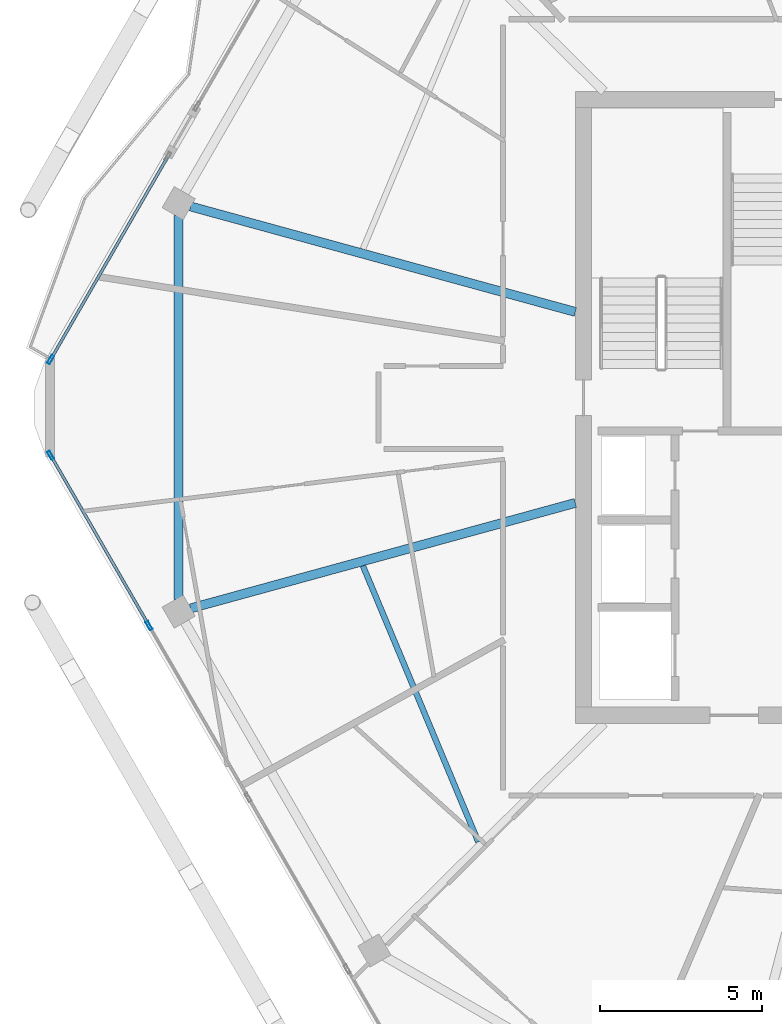
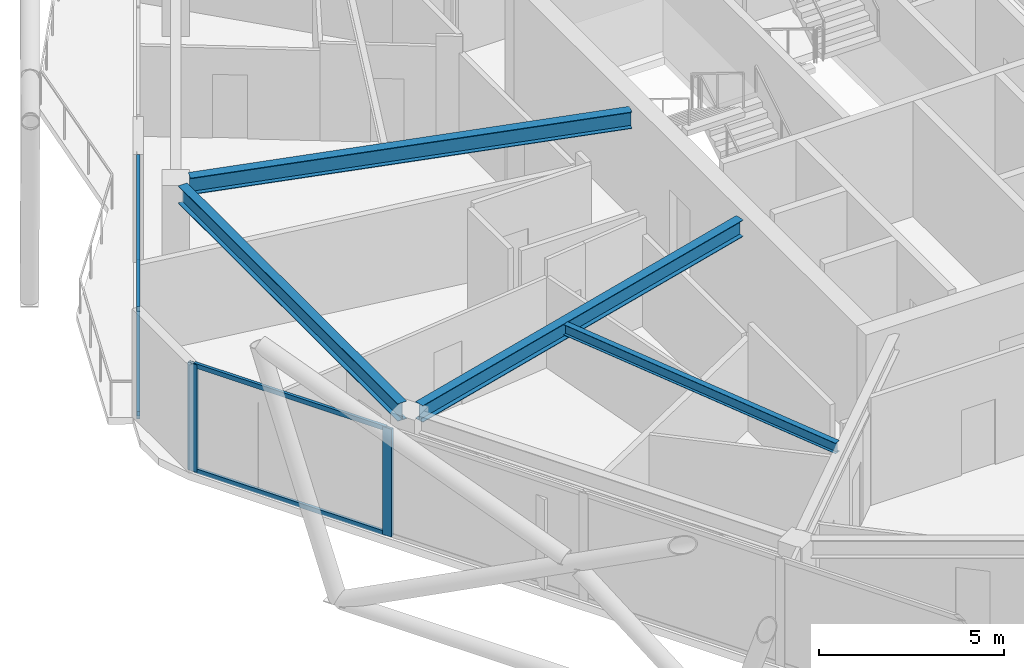
# One storey, part 6 of 24: 7 members, 4 beams, 2 elements without a shape of their own.
"""IFC4 building model written with IfcOpenShell, lengths in metres."""

from ifc_helpers import new_model, si_unit, direction, frame, origin, origin_2d, place, context, subcontext, project, spatial, hollow_rectangle, i_section, extrude, material, material_profile, profile_set, type_object, element, aggregate, save


model = new_model("IFC4")

# Units and contexts
model_context = context("Model", 3, precision=1e-05, world=origin(), true_north=direction((0.0, 1.0)))
body_context = subcontext(model_context, "Body", "Model", "MODEL_VIEW")
ifc_project = project(units=[si_unit("LENGTHUNIT", "METRE"), si_unit("AREAUNIT", "SQUARE_METRE"), si_unit("VOLUMEUNIT", "CUBIC_METRE"), si_unit("PLANEANGLEUNIT", "RADIAN"), si_unit("MASSUNIT", "GRAM", prefix="KILO")], contexts=[model_context])

# Site, building, storey
site_placement = place(None, origin())
site = spatial("IfcSite", under=ifc_project, at=site_placement, CompositionType="ELEMENT")
building_placement = place(site_placement, origin())
building = spatial("IfcBuilding", under=site, at=building_placement, Name="Zuhravey Tower", CompositionType="ELEMENT")
storey_placement = place(building_placement, frame((0.0, 0.0, 338.60009765625)))
storey = spatial("IfcBuildingStorey", under=building, at=storey_placement, Name="L86", CompositionType="ELEMENT", Elevation=338.60009765625)

# Curtain wall, members
ifc_material_1 = material(Name="Thermally broken anodised aluminium", Category="aluminium")
curtain_wall_type = type_object("IfcCurtainWallType", Name="Zone 3-4 High-Rise Curtain Wall CW4", PredefinedType="NOTDEFINED", material=ifc_material_1)
curtain_wall_1_placement = place(storey_placement, origin())
curtain_wall_1 = element("IfcCurtainWall", 1, at=curtain_wall_1_placement, inside=storey, type_object=curtain_wall_type, Name="L86 CW4 CW-L86-F4-1", PredefinedType="NOTDEFINED")
ifc_material_2 = material(Name="Anodised aluminium", Category="aluminium")
ifc_material_profile_1 = material_profile(ifc_material_2, hollow_rectangle(XDim=0.090087890625, YDim=0.284912109375, WallThickness=0.0048828125, at=origin_2d()), Name="ALU-RHS-90x285x5")
ifc_profile_set_1 = profile_set([ifc_material_profile_1], Name="Anodised aluminium")
member_type_1 = type_object("IfcMemberType", Name="Curtain-Wall Mullion 90x180", PredefinedType="MULLION", material=ifc_profile_set_1)
member_1_placement = place(storey_placement, frame((12.09130859375, 25.2626953125, 0.0), z_axis=(0.0, 0.0, 1.0), x_axis=(-0.866025511541, -0.49999981336, 0.0)))
member_1 = element("IfcMember", 2, at=member_1_placement, type_object=member_type_1, Name="CW4 mullion 4", PredefinedType="MULLION", context=body_context, shape_type="SweptSolid", body=[
    extrude(hollow_rectangle(XDim=0.090087890625, YDim=0.284912109375, WallThickness=0.0048828125, at=origin_2d()), origin(), (0.0, 0.0, 1.0), 3.5498046875),
])
member_2_placement = place(storey_placement, frame((9.05419921875, 30.5234375, 0.0), z_axis=(0.0, 0.0, 1.0), x_axis=(-0.866025511541, -0.49999981336, 0.0)))
member_2 = element("IfcMember", 3, at=member_2_placement, type_object=member_type_1, Name="CW4 mullion 5", PredefinedType="MULLION", context=body_context, shape_type="SweptSolid", body=[
    extrude(hollow_rectangle(XDim=0.090087890625, YDim=0.284912109375, WallThickness=0.0048828125, at=origin_2d()), origin(), (0.0, 0.0, 1.0), 3.5498046875),
])

# Curtain wall, member
curtain_wall_2_placement = place(storey_placement, origin())
curtain_wall_2 = element("IfcCurtainWall", 4, at=curtain_wall_2_placement, inside=storey, type_object=curtain_wall_type, Name="L86 CW4 CW-L86-F3-1", PredefinedType="NOTDEFINED")
member_3_placement = place(storey_placement, frame((9.05419921875, 33.4765625, 0.0), z_axis=(0.0, 0.0, 1.0), x_axis=(-0.866027095536, 0.499997069789, 0.0)))
member_3 = element("IfcMember", 5, at=member_3_placement, type_object=member_type_1, Name="CW4 mullion 1", PredefinedType="MULLION", context=body_context, shape_type="SweptSolid", body=[
    extrude(hollow_rectangle(XDim=0.090087890625, YDim=0.284912109375, WallThickness=0.0048828125, at=origin_2d()), origin(), (0.0, 0.0, 1.0), 3.5498046875),
])

# Member
ifc_material_profile_2 = material_profile(ifc_material_2, hollow_rectangle(XDim=0.090087890625, YDim=0.14990234375, WallThickness=0.0048828125, at=origin_2d()), Name="ALU-RHS-90x150x5")
ifc_profile_set_2 = profile_set([ifc_material_profile_2], Name="Anodised aluminium")
member_type_2 = type_object("IfcMemberType", Name="Curtain-Wall Transom 90x150", PredefinedType="USERDEFINED", material=ifc_profile_set_2)
member_4_placement = place(storey_placement, frame((12.06884765625, 25.3017578125, 0.044921875), z_axis=(-0.499982594807, 0.866035452444, 0.0), x_axis=(-0.866035452444, -0.499982594807, 0.0)))
member_4 = element("IfcMember", 6, at=member_4_placement, type_object=member_type_2, Name="CW4 transom 4.1", ObjectType="TRANSOM", PredefinedType="USERDEFINED", context=body_context, shape_type="SweptSolid", body=[
    extrude(hollow_rectangle(XDim=0.090087890625, YDim=0.14990234375, WallThickness=0.0048828125, at=origin_2d()), origin(), (0.0, 0.0, 1.0), 5.984619140625),
])

member_5_placement = place(storey_placement, frame((12.06884765625, 25.3017578125, 3.5048828125), z_axis=(-0.499982594807, 0.866035452444, 0.0), x_axis=(-0.866035452444, -0.499982594807, 0.0)))
member_5 = element("IfcMember", 7, at=member_5_placement, type_object=member_type_2, Name="CW4 transom 4.2", ObjectType="TRANSOM", PredefinedType="USERDEFINED", context=body_context, shape_type="SweptSolid", body=[
    extrude(hollow_rectangle(XDim=0.090087890625, YDim=0.14990234375, WallThickness=0.0048828125, at=origin_2d()), origin(), (0.0, 0.0, 1.0), 5.984619140625),
])

aggregate(curtain_wall_1, [member_1, member_2, member_4, member_5])

member_6_placement = place(storey_placement, frame((9.07666015625, 33.515380859375, 0.044921875), z_axis=(0.499972936283, 0.866041028465, 0.0), x_axis=(-0.866041028465, 0.499972936283, 0.0)))
member_6 = element("IfcMember", 8, at=member_6_placement, type_object=member_type_2, Name="CW4 transom 1.1", ObjectType="TRANSOM", PredefinedType="USERDEFINED", context=body_context, shape_type="SweptSolid", body=[
    extrude(hollow_rectangle(XDim=0.090087890625, YDim=0.14990234375, WallThickness=0.0048828125, at=origin_2d()), origin(), (0.0, 0.0, 1.0), 7.1435546875),
])

member_7_placement = place(storey_placement, frame((9.07666015625, 33.515380859375, 3.5048828125), z_axis=(0.499972936283, 0.866041028465, 0.0), x_axis=(-0.866041028465, 0.499972936283, 0.0)))
member_7 = element("IfcMember", 9, at=member_7_placement, type_object=member_type_2, Name="CW4 transom 1.2", ObjectType="TRANSOM", PredefinedType="USERDEFINED", context=body_context, shape_type="SweptSolid", body=[
    extrude(hollow_rectangle(XDim=0.090087890625, YDim=0.14990234375, WallThickness=0.0048828125, at=origin_2d()), origin(), (0.0, 0.0, 1.0), 7.1435546875),
])

aggregate(curtain_wall_2, [member_3, member_6, member_7])

# Beams
ifc_material_3 = material(Name="Steel SM355", Category="steel")
ifc_material_profile_3 = material_profile(ifc_material_3, i_section(OverallWidth=0.280029296875, OverallDepth=0.580078125, WebThickness=0.011962890625, FlangeThickness=0.01904296875, at=origin_2d()), Name="H-580x280x12x19")
ifc_profile_set_3 = profile_set([ifc_material_profile_3], Name="Steel SM355")
beam_type_1 = type_object("IfcBeamType", Name="Perimeter Ring Beam H580x280", PredefinedType="BEAM", material=ifc_profile_set_3)
beam_1_placement = place(storey_placement, frame((13.006591796875, 37.92431640625, 3.260009765625), z_axis=(0.0, -1.0, 0.0), x_axis=(1.0, 0.0, 0.0)))
element("IfcBeam", 10, at=beam_1_placement, inside=storey, type_object=beam_type_1, Name="L86 PB4 BM-L86-PB-06", PredefinedType="BEAM", context=body_context, shape_type="SweptSolid", body=[
    extrude(i_section(OverallWidth=0.280029296875, OverallDepth=0.580078125, WebThickness=0.011962890625, FlangeThickness=0.01904296875, at=origin_2d()), origin(), (0.0, 0.0, 1.0), 11.8486328125),
])
ifc_material_profile_4 = material_profile(ifc_material_3, i_section(OverallWidth=0.280029296875, OverallDepth=0.550048828125, WebThickness=0.010986328125, FlangeThickness=0.01806640625, at=origin_2d()), Name="H-550x280x11x18")
ifc_profile_set_4 = profile_set([ifc_material_profile_4], Name="Steel SM355")
beam_type_2 = type_object("IfcBeamType", Name="Radial Primary Girder H550x280", PredefinedType="BEAM", material=ifc_profile_set_4)
for number, where, z_axis, x_axis, name in (
    (11, (25.2470703125, 34.947265625, 3.27490234375), (-0.964428588077, 0.264343523658, 0.0), (-0.264343523658, -0.964428588077, 0.0), "L86 RG4 BM-L86-RAD-06"),
    (12, (25.2470703125, 29.052734375, 3.27490234375), (-0.964428588077, -0.264343523658, 0.0), (0.264343523658, -0.964428588077, 0.0), "L86 RG4 BM-L86-RAD-07"),
):
    element("IfcBeam", number, at=place(storey_placement, frame(where, z_axis=z_axis, x_axis=x_axis)), inside=storey, type_object=beam_type_2, Name=name, PredefinedType="BEAM", context=body_context, shape_type="SweptSolid", body=[
        extrude(i_section(OverallWidth=0.280029296875, OverallDepth=0.550048828125, WebThickness=0.010986328125, FlangeThickness=0.01806640625, at=origin_2d()), origin(), (0.0, 0.0, 1.0), 12.31396484375),
    ])
ifc_material_profile_5 = material_profile(ifc_material_3, i_section(OverallWidth=0.175048828125, OverallDepth=0.35009765625, WebThickness=0.007080078125, FlangeThickness=0.010986328125, at=origin_2d()), Name="H-350x175x7x11")
ifc_profile_set_5 = profile_set([ifc_material_profile_5], Name="Steel SM355")
beam_type_3 = type_object("IfcBeamType", Name="Secondary Floor Joist H350x175", PredefinedType="JOIST", material=ifc_profile_set_5)
beam_2_placement = place(storey_placement, frame((18.692626953125, 27.108154296875, 3.375), z_axis=(0.385657891576, -0.922641853953, 0.0), x_axis=(0.922641853953, 0.385657891576, 0.0)))
element("IfcBeam", 13, at=beam_2_placement, inside=storey, type_object=beam_type_3, Name="L86 SJ3 BM-L86-SJ-07-1", PredefinedType="JOIST", context=body_context, shape_type="SweptSolid", body=[
    extrude(i_section(OverallWidth=0.175048828125, OverallDepth=0.35009765625, WebThickness=0.007080078125, FlangeThickness=0.010986328125, at=origin_2d()), origin(), (0.0, 0.0, 1.0), 9.226806640625),
])

save(model, "model.ifc")
